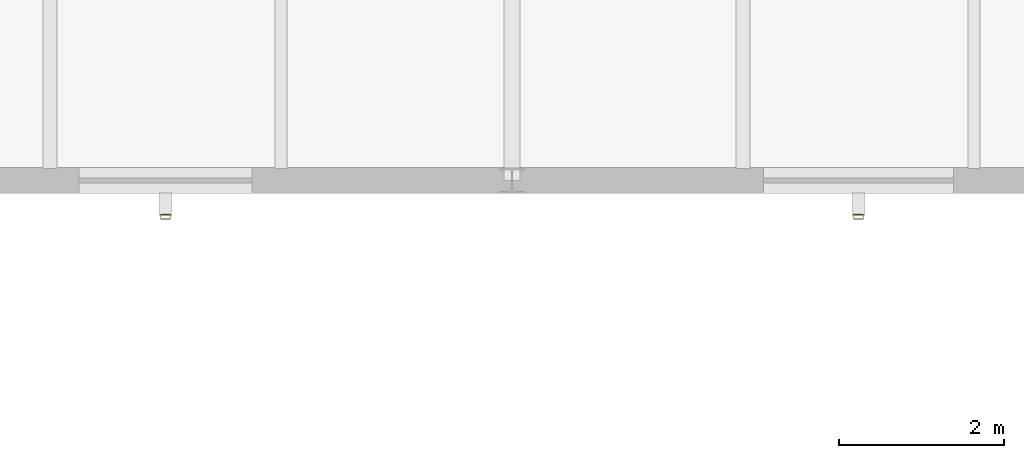
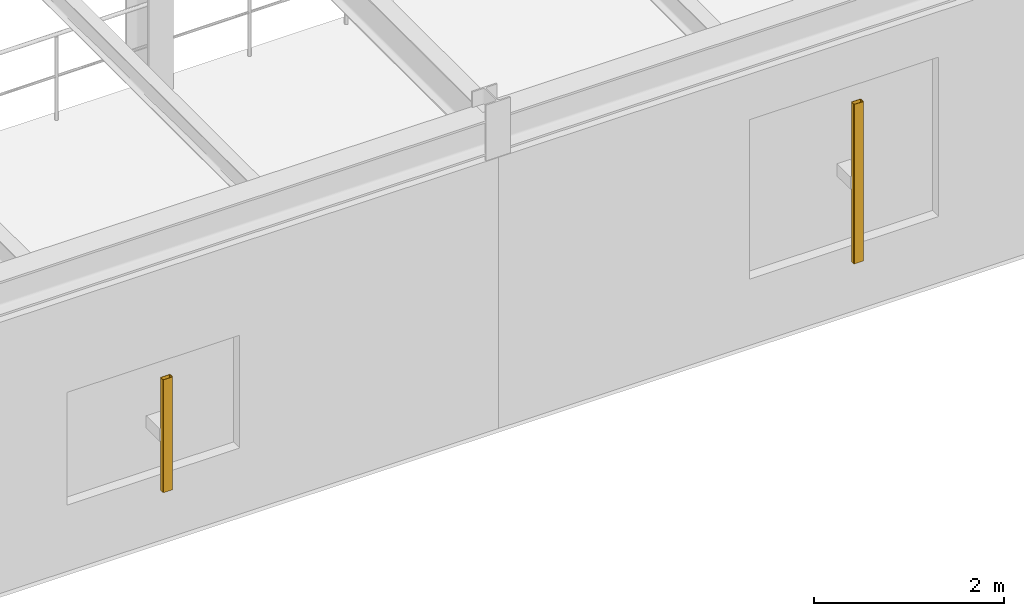
# One storey, part 89 of 109: 2 shading devices.
"""IFC4 building model written with IfcOpenShell, lengths in metres."""

from ifc_helpers import new_model, si_unit, derived_unit, direction, frame, origin, origin_2d, place, context, subcontext, project, spatial, hollow_rectangle, extrude, material, material_profile, profile_set, type_object, element, save


model = new_model("IFC4")

# Units and contexts
model_context = context("Model", 3, precision=1e-05, world=origin(), true_north=direction((0.0, 1.0)))
body_context = subcontext(model_context, "Body", "Model", "MODEL_VIEW")
ifc_project = project(units=[si_unit("LENGTHUNIT", "METRE"), si_unit("AREAUNIT", "SQUARE_METRE"), si_unit("VOLUMEUNIT", "CUBIC_METRE"), si_unit("PLANEANGLEUNIT", "RADIAN"), si_unit("MASSUNIT", "GRAM", prefix="KILO"), derived_unit("THERMALTRANSMITTANCEUNIT", [(si_unit("MASSUNIT", "GRAM", prefix="KILO"), 1), (si_unit("TIMEUNIT", "SECOND"), -3), (si_unit("THERMODYNAMICTEMPERATUREUNIT", "KELVIN"), -1)])], contexts=[model_context])

# Site, building, storey
site_placement = place(None, origin())
site = spatial("IfcSite", under=ifc_project, at=site_placement, CompositionType="ELEMENT")
building_placement = place(site_placement, origin())
building = spatial("IfcBuilding", under=site, at=building_placement, Name="Kharveza Railside Sports Centre", CompositionType="ELEMENT")
storey_placement = place(building_placement, frame((0.0, 0.0, 4.5)))
storey = spatial("IfcBuildingStorey", under=building, at=storey_placement, Name="L01", CompositionType="ELEMENT", Elevation=4.5)

# Shading devices
ifc_material = material(Name="Anodised aluminium 6063-T6", Category="aluminium")
ifc_material_profile = material_profile(ifc_material, hollow_rectangle(XDim=0.06005859375, YDim=0.1201171875, WallThickness=0.0048828125, InnerFilletRadius=0.0048828125, OuterFilletRadius=0.010009765625, at=origin_2d()), Name="RHS 60x120x5.0")
ifc_profile_set = profile_set([ifc_material_profile], Name="Anodised aluminium 6063-T6")
shading_device_type = type_object("IfcShadingDeviceType", Name="SD-LV01", PredefinedType="JALOUSIE", material=ifc_profile_set)
shading_device_1_placement = place(storey_placement, frame((96.60009765625, 71.56005859375, 0.85009765625), z_axis=(0.0, 0.0, 1.0), x_axis=(0.0, -1.0, 0.0)))
element("IfcShadingDevice", 1, at=shading_device_1_placement, inside=storey, type_object=shading_device_type, Name="SD-FIN-055", PredefinedType="JALOUSIE", context=body_context, shape_type="SweptSolid", body=[
    extrude(hollow_rectangle(XDim=0.06005859375, YDim=0.1201171875, WallThickness=0.0048828125, InnerFilletRadius=0.0048828125, OuterFilletRadius=0.010009765625, at=origin_2d()), origin(), (0.0, 0.0, 1.0), 1.449951171875),
])
shading_device_2_placement = place(storey_placement, frame((105.0, 71.56005859375, 0.85009765625), z_axis=(0.0, 0.0, 1.0), x_axis=(0.0, -1.0, 0.0)))
element("IfcShadingDevice", 2, at=shading_device_2_placement, inside=storey, type_object=shading_device_type, Name="SD-FIN-056", PredefinedType="JALOUSIE", context=body_context, shape_type="SweptSolid", body=[
    extrude(hollow_rectangle(XDim=0.06005859375, YDim=0.1201171875, WallThickness=0.0048828125, InnerFilletRadius=0.0048828125, OuterFilletRadius=0.010009765625, at=origin_2d()), origin(), (0.0, 0.0, 1.0), 2.0498046875),
])

save(model, "model.ifc")
